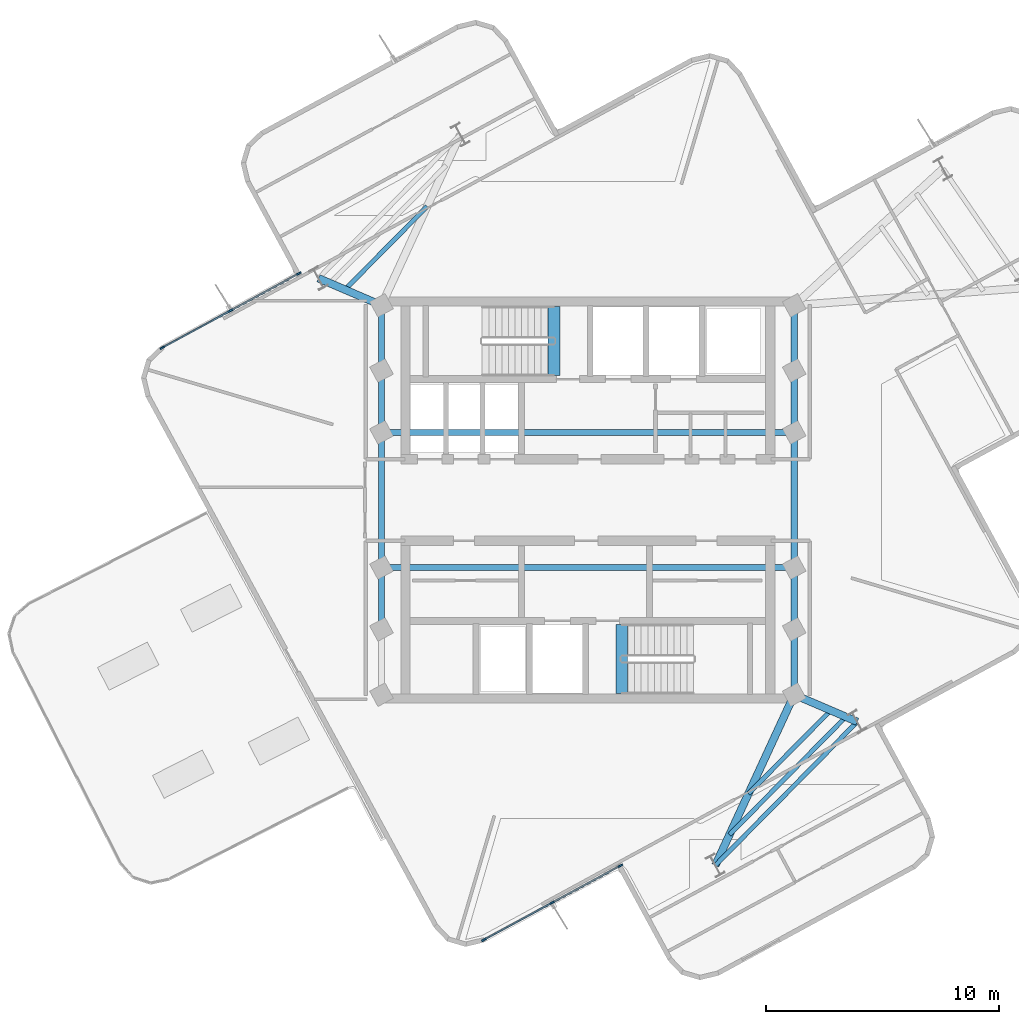
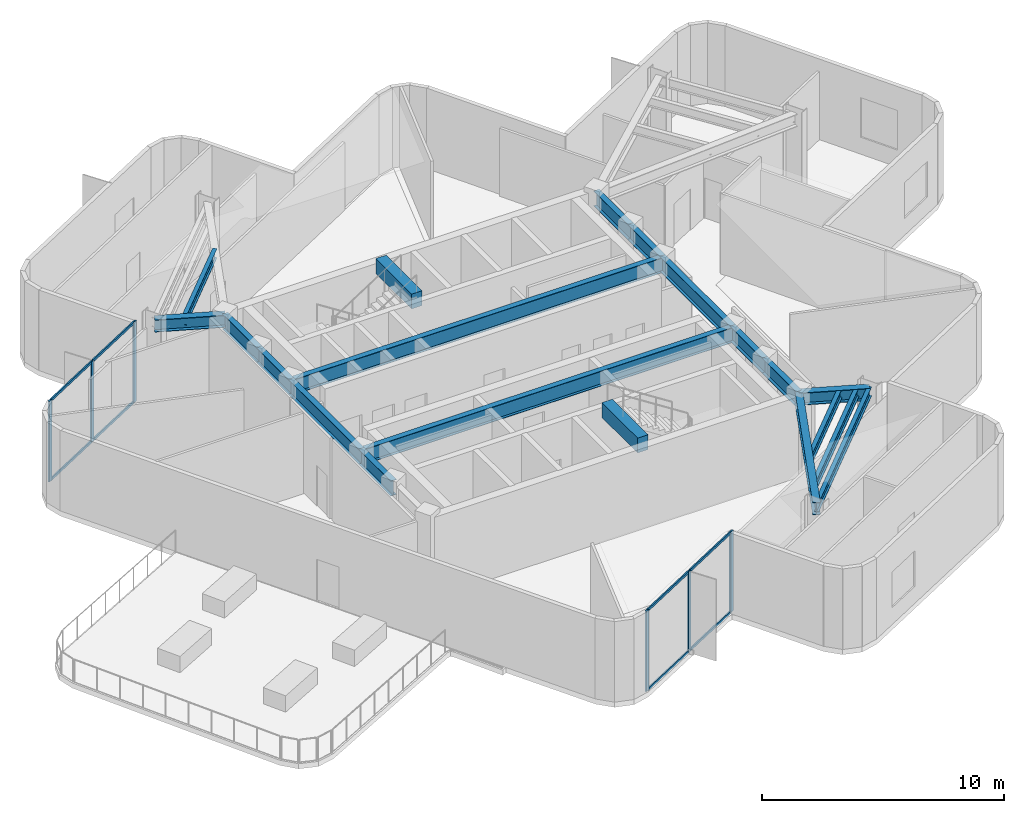
# One storey, part 2 of 10: 20 beams, 14 members, 2 elements without a shape of their own.
"""IFC4 building model written with IfcOpenShell, lengths in metres."""

from ifc_helpers import new_model, si_unit, direction, frame, origin, origin_2d, place, context, subcontext, project, spatial, rectangle, i_section, extrude, material, layer, layer_set, material_profile, profile_set, type_object, element, aggregate, save


model = new_model("IFC4")

# Units and contexts
model_context = context("Model", 3, precision=1e-05, world=origin(), true_north=direction((0.0, 1.0)))
body_context = subcontext(model_context, "Body", "Model", "MODEL_VIEW")
ifc_project = project(units=[si_unit("LENGTHUNIT", "METRE"), si_unit("AREAUNIT", "SQUARE_METRE"), si_unit("VOLUMEUNIT", "CUBIC_METRE"), si_unit("PLANEANGLEUNIT", "RADIAN"), si_unit("MASSUNIT", "GRAM", prefix="KILO")], contexts=[model_context])

# Site, building, storey
site_placement = place(None, origin())
site = spatial("IfcSite", under=ifc_project, at=site_placement, CompositionType="ELEMENT")
building_placement = place(site_placement, origin())
building = spatial("IfcBuilding", under=site, at=building_placement, Name="Solmarez Civic Tower", CompositionType="ELEMENT")
storey_placement = place(building_placement, frame((0.0, 0.0, 200.8798828125)))
storey = spatial("IfcBuildingStorey", under=building, at=storey_placement, Name="L53", CompositionType="ELEMENT", Elevation=200.8798828125)

# Beams
ifc_material_1 = material(Name="Steel S355", Category="steel")
ifc_material_profile_1 = material_profile(ifc_material_1, i_section(OverallWidth=0.19189453125, OverallDepth=0.462890625, WebThickness=0.010498046875, FlangeThickness=0.017578125, at=origin_2d()), Name="W18X60")
ifc_profile_set_1 = profile_set([ifc_material_profile_1], Name="Steel S355")
beam_type_1 = type_object("IfcBeamType", Name="BM-JS-W18X60", PredefinedType="JOIST", material=ifc_profile_set_1)
beam_1_placement = place(storey_placement, frame((-6.887939453125, 12.595947265625, 3.828125), z_axis=(-0.702816380081, -0.711371306625, 0.0), x_axis=(0.711371306625, -0.702816380081, 0.0)))
element("IfcBeam", 1, at=beam_1_placement, inside=storey, type_object=beam_type_1, Name="L53 Secondary Floor Joist JS-L53-NA-M11", PredefinedType="JOIST", context=body_context, shape_type="SweptSolid", body=[
    extrude(i_section(OverallWidth=0.19189453125, OverallDepth=0.462890625, WebThickness=0.010498046875, FlangeThickness=0.017578125, at=origin_2d()), origin(), (0.0, 0.0, 1.0), 5.022705078125),
])
beam_2_placement = place(storey_placement, frame((5.468017578125, -15.6708984375, 3.828125), z_axis=(0.702766092364, 0.711420986072, 0.0), x_axis=(-0.711420986072, 0.702766092364, 0.0)))
element("IfcBeam", 2, at=beam_2_placement, inside=storey, type_object=beam_type_1, Name="L53 Secondary Floor Joist BM-L53-SA-T1", PredefinedType="JOIST", context=body_context, shape_type="SweptSolid", body=[
    extrude(i_section(OverallWidth=0.19189453125, OverallDepth=0.462890625, WebThickness=0.010498046875, FlangeThickness=0.017578125, at=origin_2d()), origin(), (0.0, 0.0, 1.0), 8.659912109375),
])
beam_3_placement = place(storey_placement, frame((6.887939453125, -12.595947265625, 3.828125), z_axis=(0.702816380081, 0.711371306625, 0.0), x_axis=(-0.711371306625, 0.702816380081, 0.0)))
element("IfcBeam", 3, at=beam_3_placement, inside=storey, type_object=beam_type_1, Name="L53 Secondary Floor Joist JS-L53-SA-M11", PredefinedType="JOIST", context=body_context, shape_type="SweptSolid", body=[
    extrude(i_section(OverallWidth=0.19189453125, OverallDepth=0.462890625, WebThickness=0.010498046875, FlangeThickness=0.017578125, at=origin_2d()), origin(), (0.0, 0.0, 1.0), 5.022705078125),
])
beam_4_placement = place(storey_placement, frame((6.076904296875, -14.35302734375, 3.828125), z_axis=(0.702726827997, 0.711459770622, 0.0), x_axis=(-0.711459770622, 0.702726827997, 0.0)))
element("IfcBeam", 4, at=beam_4_placement, inside=storey, type_object=beam_type_1, Name="L53 Secondary Floor Joist JS-L53-SA-M12", PredefinedType="JOIST", context=body_context, shape_type="SweptSolid", body=[
    extrude(i_section(OverallWidth=0.19189453125, OverallDepth=0.462890625, WebThickness=0.010498046875, FlangeThickness=0.017578125, at=origin_2d()), origin(), (0.0, 0.0, 1.0), 7.100830078125),
])
ifc_material_2 = material(Name="Concrete C50/60", Category="concrete")
ifc_material_profile_2 = material_profile(ifc_material_2, rectangle(XDim=0.5, YDim=0.75, at=origin_2d()), Name="RC500X750")
ifc_profile_set_2 = profile_set([ifc_material_profile_2], Name="Concrete C50/60")
beam_type_2 = type_object("IfcBeamType", Name="BM-PR-RC500X750", PredefinedType="BEAM", material=ifc_profile_set_2)
for number, where, z_axis, x_axis, name in (
    (5, (-1.449951171875, 5.340087890625, 3.953125), (0.0, 1.0, 0.0), (-1.0, 0.0, 0.0), "L53 North Stair Threshold Beam"),
    (6, (1.449951171875, -8.300048828125, 3.953125), (0.0, 1.0, 0.0), (-1.0, 0.0, 0.0), "L53 South Stair Threshold Beam"),
):
    element("IfcBeam", number, at=place(storey_placement, frame(where, z_axis=z_axis, x_axis=x_axis)), inside=storey, type_object=beam_type_2, Name=name, PredefinedType="BEAM", context=body_context, shape_type="SweptSolid", body=[
        extrude(rectangle(XDim=0.5, YDim=0.75, at=origin_2d()), origin(), (0.0, 0.0, 1.0), 2.9599609375),
    ])
ifc_material_profile_3 = material_profile(ifc_material_1, i_section(OverallWidth=0.327880859375, OverallDepth=0.6220703125, WebThickness=0.015380859375, FlangeThickness=0.0244140625, at=origin_2d()), Name="W24X131")
ifc_profile_set_3 = profile_set([ifc_material_profile_3], Name="Steel S355")
beam_type_3 = type_object("IfcBeamType", Name="BM-PR-W24X131", PredefinedType="BEAM", material=ifc_profile_set_3)
beam_5_placement = place(storey_placement, frame((-8.85009765625, 8.35009765625, 3.7490234375), z_axis=(-0.919007627325, 0.394239750557, 0.0), x_axis=(-0.394239750557, -0.919007627325, 0.0)))
element("IfcBeam", 7, at=beam_5_placement, inside=storey, type_object=beam_type_3, Name="L53 Primary Floor Beam BM-L53-NA-R1B", PredefinedType="BEAM", context=body_context, shape_type="SweptSolid", body=[
    extrude(i_section(OverallWidth=0.327880859375, OverallDepth=0.6220703125, WebThickness=0.015380859375, FlangeThickness=0.0244140625, at=origin_2d()), origin(), (0.0, 0.0, 1.0), 2.942138671875),
])
beam_6_placement = place(storey_placement, frame((8.85009765625, -8.35009765625, 3.7490234375), z_axis=(-0.419390280967, -0.907806032273, 0.0), x_axis=(0.907806032273, -0.419390280967, 0.0)))
element("IfcBeam", 8, at=beam_6_placement, inside=storey, type_object=beam_type_3, Name="L53 Primary Floor Beam BM-L53-SA-R1A", PredefinedType="BEAM", context=body_context, shape_type="SweptSolid", body=[
    extrude(i_section(OverallWidth=0.327880859375, OverallDepth=0.6220703125, WebThickness=0.015380859375, FlangeThickness=0.0244140625, at=origin_2d()), origin(), (0.0, 0.0, 1.0), 8.064208984375),
])
beam_7_placement = place(storey_placement, frame((8.85009765625, -8.35009765625, 3.7490234375), z_axis=(0.919007627325, -0.394239750557, 0.0), x_axis=(0.394239750557, 0.919007627325, 0.0)))
element("IfcBeam", 9, at=beam_7_placement, inside=storey, type_object=beam_type_3, Name="L53 Primary Floor Beam BM-L53-SA-R1B", PredefinedType="BEAM", context=body_context, shape_type="SweptSolid", body=[
    extrude(i_section(OverallWidth=0.327880859375, OverallDepth=0.6220703125, WebThickness=0.015380859375, FlangeThickness=0.0244140625, at=origin_2d()), origin(), (0.0, 0.0, 1.0), 2.942138671875),
])
ifc_material_profile_4 = material_profile(ifc_material_1, i_section(OverallWidth=0.26708984375, OverallDepth=0.761962890625, WebThickness=0.014404296875, FlangeThickness=0.021484375, at=origin_2d()), Name="W30X116")
ifc_profile_set_4 = profile_set([ifc_material_profile_4], Name="Steel S355")
beam_type_4 = type_object("IfcBeamType", Name="BM-PR-W30X116", PredefinedType="BEAM", material=ifc_profile_set_4)
beam_8_placement = place(storey_placement, frame((-8.85009765625, -5.550048828125, 3.67919921875), z_axis=(0.0, 1.0, 0.0), x_axis=(-1.0, 0.0, 0.0)))
element("IfcBeam", 10, at=beam_8_placement, inside=storey, type_object=beam_type_4, Name="L53 Primary Floor Beam BM-L53-HC1-HC2", PredefinedType="BEAM", context=body_context, shape_type="SweptSolid", body=[
    extrude(i_section(OverallWidth=0.26708984375, OverallDepth=0.761962890625, WebThickness=0.014404296875, FlangeThickness=0.021484375, at=origin_2d()), origin(), (0.0, 0.0, 1.0), 2.650146484375),
])
beam_9_placement = place(storey_placement, frame((-8.85009765625, -2.89990234375, 3.67919921875), z_axis=(0.0, 1.0, 0.0), x_axis=(-1.0, 0.0, 0.0)))
element("IfcBeam", 11, at=beam_9_placement, inside=storey, type_object=beam_type_4, Name="L53 Primary Floor Beam BM-L53-HC2-HC3", PredefinedType="BEAM", context=body_context, shape_type="SweptSolid", body=[
    extrude(i_section(OverallWidth=0.26708984375, OverallDepth=0.761962890625, WebThickness=0.014404296875, FlangeThickness=0.021484375, at=origin_2d()), origin(), (0.0, 0.0, 1.0), 5.7998046875),
])
beam_10_placement = place(storey_placement, frame((-8.85009765625, 2.89990234375, 3.67919921875), z_axis=(0.0, 1.0, 0.0), x_axis=(-1.0, 0.0, 0.0)))
element("IfcBeam", 12, at=beam_10_placement, inside=storey, type_object=beam_type_4, Name="L53 Primary Floor Beam BM-L53-HC3-HC4", PredefinedType="BEAM", context=body_context, shape_type="SweptSolid", body=[
    extrude(i_section(OverallWidth=0.26708984375, OverallDepth=0.761962890625, WebThickness=0.014404296875, FlangeThickness=0.021484375, at=origin_2d()), origin(), (0.0, 0.0, 1.0), 2.650146484375),
])
for number, where, z_axis, x_axis, name in (
    (13, (-8.85009765625, 5.550048828125, 3.67919921875), (0.0, 1.0, 0.0), (-1.0, 0.0, 0.0), "L53 Primary Floor Beam BM-L53-HC4-HC9"),
    (14, (8.85009765625, -8.35009765625, 3.67919921875), (0.0, 1.0, 0.0), (-1.0, 0.0, 0.0), "L53 Primary Floor Beam BM-L53-HC10-HC5"),
):
    element("IfcBeam", number, at=place(storey_placement, frame(where, z_axis=z_axis, x_axis=x_axis)), inside=storey, type_object=beam_type_4, Name=name, PredefinedType="BEAM", context=body_context, shape_type="SweptSolid", body=[
        extrude(i_section(OverallWidth=0.26708984375, OverallDepth=0.761962890625, WebThickness=0.014404296875, FlangeThickness=0.021484375, at=origin_2d()), origin(), (0.0, 0.0, 1.0), 2.800048828125),
    ])
beam_11_placement = place(storey_placement, frame((8.85009765625, -5.550048828125, 3.67919921875), z_axis=(0.0, 1.0, 0.0), x_axis=(-1.0, 0.0, 0.0)))
element("IfcBeam", 15, at=beam_11_placement, inside=storey, type_object=beam_type_4, Name="L53 Primary Floor Beam BM-L53-HC5-HC6", PredefinedType="BEAM", context=body_context, shape_type="SweptSolid", body=[
    extrude(i_section(OverallWidth=0.26708984375, OverallDepth=0.761962890625, WebThickness=0.014404296875, FlangeThickness=0.021484375, at=origin_2d()), origin(), (0.0, 0.0, 1.0), 2.650146484375),
])
beam_12_placement = place(storey_placement, frame((8.85009765625, -2.89990234375, 3.67919921875), z_axis=(0.0, 1.0, 0.0), x_axis=(-1.0, 0.0, 0.0)))
element("IfcBeam", 16, at=beam_12_placement, inside=storey, type_object=beam_type_4, Name="L53 Primary Floor Beam BM-L53-HC6-HC7", PredefinedType="BEAM", context=body_context, shape_type="SweptSolid", body=[
    extrude(i_section(OverallWidth=0.26708984375, OverallDepth=0.761962890625, WebThickness=0.014404296875, FlangeThickness=0.021484375, at=origin_2d()), origin(), (0.0, 0.0, 1.0), 5.7998046875),
])
beam_13_placement = place(storey_placement, frame((8.85009765625, 2.89990234375, 3.67919921875), z_axis=(0.0, 1.0, 0.0), x_axis=(-1.0, 0.0, 0.0)))
element("IfcBeam", 17, at=beam_13_placement, inside=storey, type_object=beam_type_4, Name="L53 Primary Floor Beam BM-L53-HC7-HC8", PredefinedType="BEAM", context=body_context, shape_type="SweptSolid", body=[
    extrude(i_section(OverallWidth=0.26708984375, OverallDepth=0.761962890625, WebThickness=0.014404296875, FlangeThickness=0.021484375, at=origin_2d()), origin(), (0.0, 0.0, 1.0), 2.650146484375),
])
beam_14_placement = place(storey_placement, frame((8.85009765625, 5.550048828125, 3.67919921875), z_axis=(0.0, 1.0, 0.0), x_axis=(-1.0, 0.0, 0.0)))
element("IfcBeam", 18, at=beam_14_placement, inside=storey, type_object=beam_type_4, Name="L53 Primary Floor Beam BM-L53-HC8-HC11", PredefinedType="BEAM", context=body_context, shape_type="SweptSolid", body=[
    extrude(i_section(OverallWidth=0.26708984375, OverallDepth=0.761962890625, WebThickness=0.014404296875, FlangeThickness=0.021484375, at=origin_2d()), origin(), (0.0, 0.0, 1.0), 2.800048828125),
])
for number, where, z_axis, x_axis, name in (
    (19, (-8.85009765625, -2.89990234375, 3.67919921875), (1.0, 0.0, 0.0), (0.0, 1.0, 0.0), "L53 Primary Floor Beam BM-L53-HC2-HC6"),
    (20, (-8.85009765625, 2.89990234375, 3.67919921875), (1.0, 0.0, 0.0), (0.0, 1.0, 0.0), "L53 Primary Floor Beam BM-L53-HC3-HC7"),
):
    element("IfcBeam", number, at=place(storey_placement, frame(where, z_axis=z_axis, x_axis=x_axis)), inside=storey, type_object=beam_type_4, Name=name, PredefinedType="BEAM", context=body_context, shape_type="SweptSolid", body=[
        extrude(i_section(OverallWidth=0.26708984375, OverallDepth=0.761962890625, WebThickness=0.014404296875, FlangeThickness=0.021484375, at=origin_2d()), origin(), (0.0, 0.0, 1.0), 17.7001953125),
    ])

# Curtain wall, members
ifc_material_3 = material(Name="Bronze Anodised Aluminium EN AW-6063 T6", Category="aluminium")
ifc_layer = layer(ifc_material_3, 0.2099609375)
ifc_layer_set = layer_set([ifc_layer], Name="Bronze Anodised Aluminium EN AW-6063 T6")
curtain_wall_type = type_object("IfcCurtainWallType", Name="CW-SYS-5", PredefinedType="NOTDEFINED", material=ifc_layer_set)
curtain_wall_1_placement = place(storey_placement, origin())
curtain_wall_1 = element("IfcCurtainWall", 21, at=curtain_wall_1_placement, inside=storey, type_object=curtain_wall_type, Name="L53 Stick-Built Curtain Wall 1", PredefinedType="NOTDEFINED")
ifc_material_profile_5 = material_profile(ifc_material_3, rectangle(XDim=0.074951171875, YDim=0.199951171875, at=origin_2d()), Name="CWM-75X200")
ifc_profile_set_5 = profile_set([ifc_material_profile_5], Name="Bronze Anodised Aluminium EN AW-6063 T6")
member_type_1 = type_object("IfcMemberType", Name="CWM-TYPE-1", PredefinedType="MULLION", material=ifc_profile_set_5)
member_1_placement = place(storey_placement, frame((1.39501953125, -15.684814453125, 0.0), z_axis=(0.0, 0.0, 1.0), x_axis=(0.477219530148, -0.878784114584, 0.0)))
member_1 = element("IfcMember", 22, at=member_1_placement, type_object=member_type_1, Name="CWS5 mullion 1", PredefinedType="MULLION", context=body_context, shape_type="SweptSolid", body=[
    extrude(rectangle(XDim=0.074951171875, YDim=0.199951171875, at=origin_2d()), origin(), (0.0, 0.0, 1.0), 4.06005859375),
])
member_2_placement = place(storey_placement, frame((-1.533935546875, -17.275390625, 0.0), z_axis=(0.0, 0.0, 1.0), x_axis=(0.477219530148, -0.878784114584, 0.0)))
member_2 = element("IfcMember", 23, at=member_2_placement, type_object=member_type_1, Name="CWS5 mullion 2", PredefinedType="MULLION", context=body_context, shape_type="SweptSolid", body=[
    extrude(rectangle(XDim=0.074951171875, YDim=0.199951171875, at=origin_2d()), origin(), (0.0, 0.0, 1.0), 4.06005859375),
])
member_3_placement = place(storey_placement, frame((-4.463134765625, -18.8662109375, 0.0), z_axis=(0.0, 0.0, 1.0), x_axis=(0.477219530148, -0.878784114584, 0.0)))
member_3 = element("IfcMember", 24, at=member_3_placement, type_object=member_type_1, Name="CWS5 mullion 3", PredefinedType="MULLION", context=body_context, shape_type="SweptSolid", body=[
    extrude(rectangle(XDim=0.074951171875, YDim=0.199951171875, at=origin_2d()), origin(), (0.0, 0.0, 1.0), 4.06005859375),
])

curtain_wall_2_placement = place(storey_placement, origin())
curtain_wall_2 = element("IfcCurtainWall", 25, at=curtain_wall_2_placement, inside=storey, type_object=curtain_wall_type, Name="L53 Stick-Built Curtain Wall 2", PredefinedType="NOTDEFINED")
member_4_placement = place(storey_placement, frame((-18.2529296875, 6.531982421875, 0.0), z_axis=(0.0, 0.0, 1.0), x_axis=(-0.47715732601, 0.878817891395, 0.0)))
member_4 = element("IfcMember", 26, at=member_4_placement, type_object=member_type_1, Name="CWS5 mullion 1", PredefinedType="MULLION", context=body_context, shape_type="SweptSolid", body=[
    extrude(rectangle(XDim=0.074951171875, YDim=0.199951171875, at=origin_2d()), origin(), (0.0, 0.0, 1.0), 4.06005859375),
])
member_5_placement = place(storey_placement, frame((-15.323486328125, 8.12255859375, 0.0), z_axis=(0.0, 0.0, 1.0), x_axis=(-0.47715732601, 0.878817891395, 0.0)))
member_5 = element("IfcMember", 27, at=member_5_placement, type_object=member_type_1, Name="CWS5 mullion 2", PredefinedType="MULLION", context=body_context, shape_type="SweptSolid", body=[
    extrude(rectangle(XDim=0.074951171875, YDim=0.199951171875, at=origin_2d()), origin(), (0.0, 0.0, 1.0), 4.06005859375),
])
member_6_placement = place(storey_placement, frame((-12.39404296875, 9.713134765625, 0.0), z_axis=(0.0, 0.0, 1.0), x_axis=(-0.47715732601, 0.878817891395, 0.0)))
member_6 = element("IfcMember", 28, at=member_6_placement, type_object=member_type_1, Name="CWS5 mullion 3", PredefinedType="MULLION", context=body_context, shape_type="SweptSolid", body=[
    extrude(rectangle(XDim=0.074951171875, YDim=0.199951171875, at=origin_2d()), origin(), (0.0, 0.0, 1.0), 4.06005859375),
])

# Member
ifc_material_profile_6 = material_profile(ifc_material_3, rectangle(XDim=0.06494140625, YDim=0.125, at=origin_2d()), Name="CWT-65X125")
ifc_profile_set_6 = profile_set([ifc_material_profile_6], Name="Bronze Anodised Aluminium EN AW-6063 T6")
member_type_2 = type_object("IfcMemberType", Name="CWT-TYPE-2", PredefinedType="USERDEFINED", material=ifc_profile_set_6)
member_7_placement = place(storey_placement, frame((1.362060546875, -15.702880859375, 0.03271484375), z_axis=(-0.878793276151, -0.477202659037, 0.0), x_axis=(0.477202659037, -0.878793276151, 0.0)))
member_7 = element("IfcMember", 29, at=member_7_placement, type_object=member_type_2, Name="CWS5 transom 1.1", ObjectType="TRANSOM", PredefinedType="USERDEFINED", context=body_context, shape_type="SweptSolid", body=[
    extrude(rectangle(XDim=0.06494140625, YDim=0.125, at=origin_2d()), origin(), (0.0, 0.0, 1.0), 3.2578125),
])

member_8_placement = place(storey_placement, frame((1.362060546875, -15.702880859375, 4.027587890625), z_axis=(-0.878793276151, -0.477202659037, 0.0), x_axis=(0.477202659037, -0.878793276151, 0.0)))
member_8 = element("IfcMember", 30, at=member_8_placement, type_object=member_type_2, Name="CWS5 transom 1.2", ObjectType="TRANSOM", PredefinedType="USERDEFINED", context=body_context, shape_type="SweptSolid", body=[
    extrude(rectangle(XDim=0.06494140625, YDim=0.125, at=origin_2d()), origin(), (0.0, 0.0, 1.0), 3.2578125),
])

member_9_placement = place(storey_placement, frame((-1.56689453125, -17.29345703125, 0.03271484375), z_axis=(-0.878810339434, -0.477171234782, 0.0), x_axis=(0.477171234782, -0.878810339434, 0.0)))
member_9 = element("IfcMember", 31, at=member_9_placement, type_object=member_type_2, Name="CWS5 transom 2.1", ObjectType="TRANSOM", PredefinedType="USERDEFINED", context=body_context, shape_type="SweptSolid", body=[
    extrude(rectangle(XDim=0.06494140625, YDim=0.125, at=origin_2d()), origin(), (0.0, 0.0, 1.0), 3.258056640625),
])

member_10_placement = place(storey_placement, frame((-1.56689453125, -17.29345703125, 4.027587890625), z_axis=(-0.878810339434, -0.477171234782, 0.0), x_axis=(0.477171234782, -0.878810339434, 0.0)))
member_10 = element("IfcMember", 32, at=member_10_placement, type_object=member_type_2, Name="CWS5 transom 2.2", ObjectType="TRANSOM", PredefinedType="USERDEFINED", context=body_context, shape_type="SweptSolid", body=[
    extrude(rectangle(XDim=0.06494140625, YDim=0.125, at=origin_2d()), origin(), (0.0, 0.0, 1.0), 3.258056640625),
])

aggregate(curtain_wall_1, [member_1, member_2, member_3, member_7, member_8, member_9, member_10])

member_11_placement = place(storey_placement, frame((-18.219970703125, 6.5498046875, 0.03271484375), z_axis=(0.878827399348, 0.477139814055, 0.0), x_axis=(-0.477139814055, 0.878827399348, 0.0)))
member_11 = element("IfcMember", 33, at=member_11_placement, type_object=member_type_2, Name="CWS5 transom 1.1", ObjectType="TRANSOM", PredefinedType="USERDEFINED", context=body_context, shape_type="SweptSolid", body=[
    extrude(rectangle(XDim=0.06494140625, YDim=0.125, at=origin_2d()), origin(), (0.0, 0.0, 1.0), 3.25830078125),
])

member_12_placement = place(storey_placement, frame((-18.219970703125, 6.5498046875, 4.027587890625), z_axis=(0.878827399348, 0.477139814055, 0.0), x_axis=(-0.477139814055, 0.878827399348, 0.0)))
member_12 = element("IfcMember", 34, at=member_12_placement, type_object=member_type_2, Name="CWS5 transom 1.2", ObjectType="TRANSOM", PredefinedType="USERDEFINED", context=body_context, shape_type="SweptSolid", body=[
    extrude(rectangle(XDim=0.06494140625, YDim=0.125, at=origin_2d()), origin(), (0.0, 0.0, 1.0), 3.25830078125),
])

member_13_placement = place(storey_placement, frame((-15.29052734375, 8.140380859375, 0.03271484375), z_axis=(0.878795979603, 0.477197680458, 0.0), x_axis=(-0.477197680458, 0.878795979603, 0.0)))
member_13 = element("IfcMember", 35, at=member_13_placement, type_object=member_type_2, Name="CWS5 transom 2.1", ObjectType="TRANSOM", PredefinedType="USERDEFINED", context=body_context, shape_type="SweptSolid", body=[
    extrude(rectangle(XDim=0.06494140625, YDim=0.125, at=origin_2d()), origin(), (0.0, 0.0, 1.0), 3.258544921875),
])

member_14_placement = place(storey_placement, frame((-15.29052734375, 8.140380859375, 4.027587890625), z_axis=(0.878795979603, 0.477197680458, 0.0), x_axis=(-0.477197680458, 0.878795979603, 0.0)))
member_14 = element("IfcMember", 36, at=member_14_placement, type_object=member_type_2, Name="CWS5 transom 2.2", ObjectType="TRANSOM", PredefinedType="USERDEFINED", context=body_context, shape_type="SweptSolid", body=[
    extrude(rectangle(XDim=0.06494140625, YDim=0.125, at=origin_2d()), origin(), (0.0, 0.0, 1.0), 3.258544921875),
])

aggregate(curtain_wall_2, [member_4, member_5, member_6, member_11, member_12, member_13, member_14])

save(model, "model.ifc")
